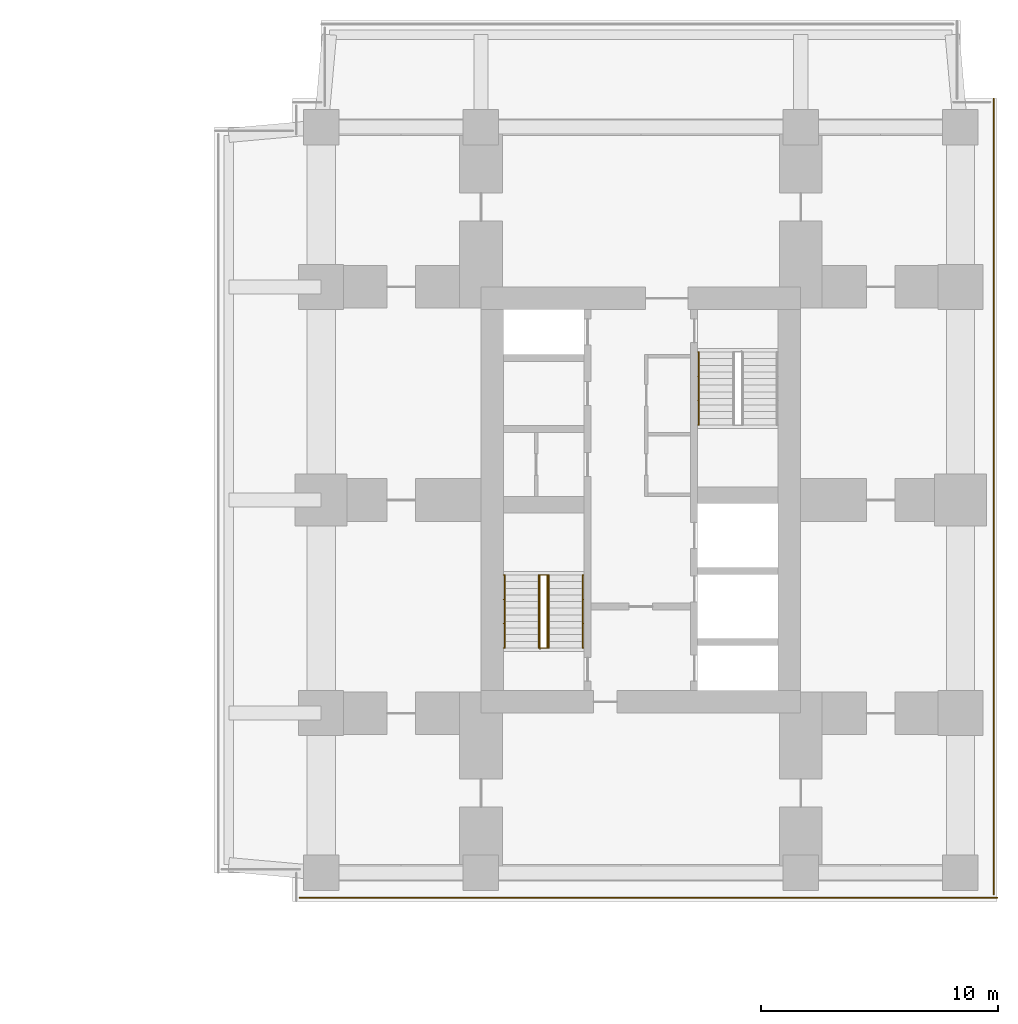
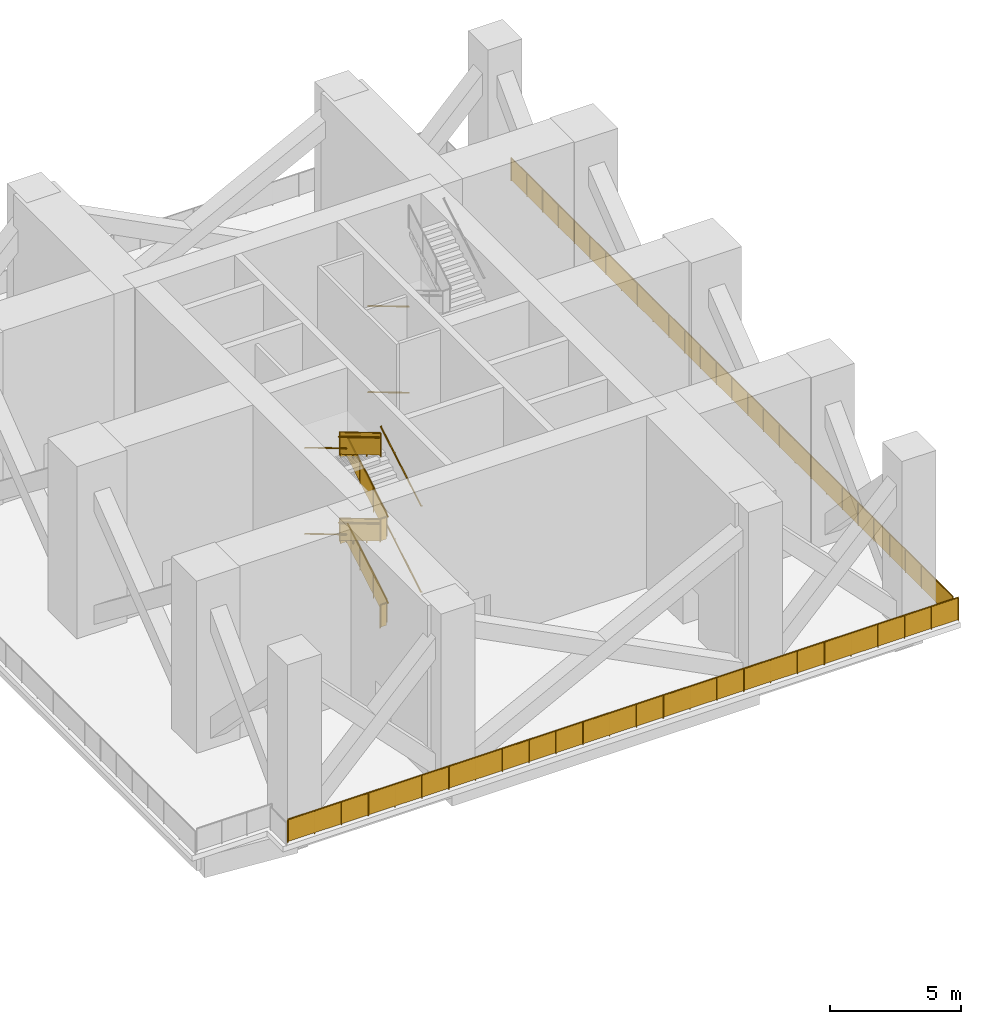
# One storey, part 10 of 11: 13 railings.
"""IFC4 building model written with IfcOpenShell, lengths in metres."""

from ifc_helpers import new_model, si_unit, direction, frame, origin, origin_2d, place, context, subcontext, project, spatial, polyline, circle, outline, extrude, material, type_object, element, save


model = new_model("IFC4")

# Units and contexts
model_context = context("Model", 3, precision=1e-05, world=origin(), true_north=direction((0.0, 1.0)))
body_context = subcontext(model_context, "Body", "Model", "MODEL_VIEW")
ifc_project = project(units=[si_unit("LENGTHUNIT", "METRE"), si_unit("AREAUNIT", "SQUARE_METRE"), si_unit("VOLUMEUNIT", "CUBIC_METRE"), si_unit("PLANEANGLEUNIT", "RADIAN"), si_unit("MASSUNIT", "GRAM", prefix="KILO")], contexts=[model_context])

# Site, building, storey
site_placement = place(None, origin())
site = spatial("IfcSite", under=ifc_project, at=site_placement, CompositionType="ELEMENT")
building_placement = place(site_placement, origin())
building = spatial("IfcBuilding", under=site, at=building_placement, Name="Namib Vertical Campus", CompositionType="ELEMENT")
storey_placement = place(building_placement, frame((0.0, 0.0, 169.0)))
storey = spatial("IfcBuildingStorey", under=building, at=storey_placement, Name="L40", CompositionType="ELEMENT", Elevation=169.0)

# Railings
ifc_material_1 = material(Name="Toughened glass balustrade", Category="glass")
railing_type_1 = type_object("IfcRailingType", Name="Edge guard 1100", PredefinedType="GUARDRAIL", material=ifc_material_1)
railing_1_placement = place(storey_placement, frame((66.60009765625, 3.449951171875, 0.0)))
element("IfcRailing", 1, at=railing_1_placement, inside=storey, type_object=railing_type_1, Name="Refuge edge guard GR2 B L40 3", PredefinedType="GUARDRAIL", context=body_context, shape_type="SweptSolid", body=[
    extrude(circle(Radius=0.02392578125, at=origin_2d()), frame((0.0, 0.0, 1.076171875), z_axis=(1.0, 0.0, 0.0), x_axis=(0.0, 1.0, 0.0)), (0.0, 0.0, 1.0), 29.449951171875),
    extrude(outline(polyline([(0.02099609375, 0.050048828125), (29.428955078125, 0.050048828125), (29.428955078125, 1.052001953125), (0.02099609375, 1.052001953125), (0.02099609375, 0.050048828125)])), frame((0.0, 0.0107421875, 0.0), z_axis=(0.0, -1.0, 0.0), x_axis=(1.0, 0.0, 0.0)), (0.0, 0.0, 1.0), 0.021484375),
    extrude(circle(Radius=0.02099609375, at=origin_2d()), origin(), (0.0, 0.0, 1.0), 1.052001953125),
    extrude(circle(Radius=0.02099609375, at=origin_2d()), frame((1.177978515625, 0.0, 0.0)), (0.0, 0.0, 1.0), 1.052001953125),
    extrude(circle(Radius=0.02099609375, at=origin_2d()), frame((2.35595703125, 0.0, 0.0)), (0.0, 0.0, 1.0), 1.052001953125),
    extrude(circle(Radius=0.02099609375, at=origin_2d()), frame((3.533935546875, 0.0, 0.0)), (0.0, 0.0, 1.0), 1.052001953125),
    extrude(circle(Radius=0.02099609375, at=origin_2d()), frame((4.7119140625, 0.0, 0.0)), (0.0, 0.0, 1.0), 1.052001953125),
    extrude(circle(Radius=0.02099609375, at=origin_2d()), frame((5.889892578125, 0.0, 0.0)), (0.0, 0.0, 1.0), 1.052001953125),
    extrude(circle(Radius=0.02099609375, at=origin_2d()), frame((7.06787109375, 0.0, 0.0)), (0.0, 0.0, 1.0), 1.052001953125),
    extrude(circle(Radius=0.02099609375, at=origin_2d()), frame((8.24609375, 0.0, 0.0)), (0.0, 0.0, 1.0), 1.052001953125),
    extrude(circle(Radius=0.02099609375, at=origin_2d()), frame((9.424072265625, 0.0, 0.0)), (0.0, 0.0, 1.0), 1.052001953125),
    extrude(circle(Radius=0.02099609375, at=origin_2d()), frame((10.60205078125, 0.0, 0.0)), (0.0, 0.0, 1.0), 1.052001953125),
    extrude(circle(Radius=0.02099609375, at=origin_2d()), frame((11.780029296875, 0.0, 0.0)), (0.0, 0.0, 1.0), 1.052001953125),
    extrude(circle(Radius=0.02099609375, at=origin_2d()), frame((12.9580078125, 0.0, 0.0)), (0.0, 0.0, 1.0), 1.052001953125),
    extrude(circle(Radius=0.02099609375, at=origin_2d()), frame((14.135986328125, 0.0, 0.0)), (0.0, 0.0, 1.0), 1.052001953125),
    extrude(circle(Radius=0.02099609375, at=origin_2d()), frame((15.31396484375, 0.0, 0.0)), (0.0, 0.0, 1.0), 1.052001953125),
    extrude(circle(Radius=0.02099609375, at=origin_2d()), frame((16.491943359375, 0.0, 0.0)), (0.0, 0.0, 1.0), 1.052001953125),
    extrude(circle(Radius=0.02099609375, at=origin_2d()), frame((17.669921875, 0.0, 0.0)), (0.0, 0.0, 1.0), 1.052001953125),
    extrude(circle(Radius=0.02099609375, at=origin_2d()), frame((18.847900390625, 0.0, 0.0)), (0.0, 0.0, 1.0), 1.052001953125),
    extrude(circle(Radius=0.02099609375, at=origin_2d()), frame((20.02587890625, 0.0, 0.0)), (0.0, 0.0, 1.0), 1.052001953125),
    extrude(circle(Radius=0.02099609375, at=origin_2d()), frame((21.203857421875, 0.0, 0.0)), (0.0, 0.0, 1.0), 1.052001953125),
    extrude(circle(Radius=0.02099609375, at=origin_2d()), frame((22.382080078125, 0.0, 0.0)), (0.0, 0.0, 1.0), 1.052001953125),
    extrude(circle(Radius=0.02099609375, at=origin_2d()), frame((23.56005859375, 0.0, 0.0)), (0.0, 0.0, 1.0), 1.052001953125),
    extrude(circle(Radius=0.02099609375, at=origin_2d()), frame((24.738037109375, 0.0, 0.0)), (0.0, 0.0, 1.0), 1.052001953125),
    extrude(circle(Radius=0.02099609375, at=origin_2d()), frame((25.916015625, 0.0, 0.0)), (0.0, 0.0, 1.0), 1.052001953125),
    extrude(circle(Radius=0.02099609375, at=origin_2d()), frame((27.093994140625, 0.0, 0.0)), (0.0, 0.0, 1.0), 1.052001953125),
    extrude(circle(Radius=0.02099609375, at=origin_2d()), frame((28.27197265625, 0.0, 0.0)), (0.0, 0.0, 1.0), 1.052001953125),
    extrude(circle(Radius=0.02099609375, at=origin_2d()), frame((29.449951171875, 0.0, 0.0)), (0.0, 0.0, 1.0), 1.052001953125),
])
railing_2_placement = place(storey_placement, frame((95.89990234375, 3.60009765625, 0.0)))
element("IfcRailing", 2, at=railing_2_placement, inside=storey, type_object=railing_type_1, Name="Refuge edge guard GR2 B L40 4", PredefinedType="GUARDRAIL", context=body_context, shape_type="SweptSolid", body=[
    extrude(circle(Radius=0.02392578125, at=origin_2d()), frame((0.0, 0.0, 1.076171875), z_axis=(0.0, 1.0, 0.0), x_axis=(-1.0, 0.0, 0.0)), (0.0, 0.0, 1.0), 33.599853515625),
    extrude(outline(polyline([(0.02099609375, 0.050048828125), (33.578857421875, 0.050048828125), (33.578857421875, 1.052001953125), (0.02099609375, 1.052001953125), (0.02099609375, 0.050048828125)])), frame((-0.0107421875, 0.0, 0.0), z_axis=(1.0, 0.0, 0.0), x_axis=(0.0, 1.0, 0.0)), (0.0, 0.0, 1.0), 0.021484375),
    extrude(circle(Radius=0.02099609375, at=origin_2d()), origin(), (0.0, 0.0, 1.0), 1.052001953125),
    extrude(circle(Radius=0.02099609375, at=origin_2d()), frame((0.0, 1.199951171875, 0.0)), (0.0, 0.0, 1.0), 1.052001953125),
    extrude(circle(Radius=0.02099609375, at=origin_2d()), frame((0.0, 2.39990234375, 0.0)), (0.0, 0.0, 1.0), 1.052001953125),
    extrude(circle(Radius=0.02099609375, at=origin_2d()), frame((0.0, 3.60009765625, 0.0)), (0.0, 0.0, 1.0), 1.052001953125),
    extrude(circle(Radius=0.02099609375, at=origin_2d()), frame((0.0, 4.800048828125, 0.0)), (0.0, 0.0, 1.0), 1.052001953125),
    extrude(circle(Radius=0.02099609375, at=origin_2d()), frame((0.0, 6.0, 0.0)), (0.0, 0.0, 1.0), 1.052001953125),
    extrude(circle(Radius=0.02099609375, at=origin_2d()), frame((0.0, 7.199951171875, 0.0)), (0.0, 0.0, 1.0), 1.052001953125),
    extrude(circle(Radius=0.02099609375, at=origin_2d()), frame((0.0, 8.39990234375, 0.0)), (0.0, 0.0, 1.0), 1.052001953125),
    extrude(circle(Radius=0.02099609375, at=origin_2d()), frame((0.0, 9.599853515625, 0.0)), (0.0, 0.0, 1.0), 1.052001953125),
    extrude(circle(Radius=0.02099609375, at=origin_2d()), frame((0.0, 10.800048828125, 0.0)), (0.0, 0.0, 1.0), 1.052001953125),
    extrude(circle(Radius=0.02099609375, at=origin_2d()), frame((0.0, 12.0, 0.0)), (0.0, 0.0, 1.0), 1.052001953125),
    extrude(circle(Radius=0.02099609375, at=origin_2d()), frame((0.0, 13.199951171875, 0.0)), (0.0, 0.0, 1.0), 1.052001953125),
    extrude(circle(Radius=0.02099609375, at=origin_2d()), frame((0.0, 14.39990234375, 0.0)), (0.0, 0.0, 1.0), 1.052001953125),
    extrude(circle(Radius=0.02099609375, at=origin_2d()), frame((0.0, 15.599853515625, 0.0)), (0.0, 0.0, 1.0), 1.052001953125),
    extrude(circle(Radius=0.02099609375, at=origin_2d()), frame((0.0, 16.7998046875, 0.0)), (0.0, 0.0, 1.0), 1.052001953125),
    extrude(circle(Radius=0.02099609375, at=origin_2d()), frame((0.0, 18.0, 0.0)), (0.0, 0.0, 1.0), 1.052001953125),
    extrude(circle(Radius=0.02099609375, at=origin_2d()), frame((0.0, 19.199951171875, 0.0)), (0.0, 0.0, 1.0), 1.052001953125),
    extrude(circle(Radius=0.02099609375, at=origin_2d()), frame((0.0, 20.39990234375, 0.0)), (0.0, 0.0, 1.0), 1.052001953125),
    extrude(circle(Radius=0.02099609375, at=origin_2d()), frame((0.0, 21.599853515625, 0.0)), (0.0, 0.0, 1.0), 1.052001953125),
    extrude(circle(Radius=0.02099609375, at=origin_2d()), frame((0.0, 22.7998046875, 0.0)), (0.0, 0.0, 1.0), 1.052001953125),
    extrude(circle(Radius=0.02099609375, at=origin_2d()), frame((0.0, 24.0, 0.0)), (0.0, 0.0, 1.0), 1.052001953125),
    extrude(circle(Radius=0.02099609375, at=origin_2d()), frame((0.0, 25.199951171875, 0.0)), (0.0, 0.0, 1.0), 1.052001953125),
    extrude(circle(Radius=0.02099609375, at=origin_2d()), frame((0.0, 26.39990234375, 0.0)), (0.0, 0.0, 1.0), 1.052001953125),
    extrude(circle(Radius=0.02099609375, at=origin_2d()), frame((0.0, 27.599853515625, 0.0)), (0.0, 0.0, 1.0), 1.052001953125),
    extrude(circle(Radius=0.02099609375, at=origin_2d()), frame((0.0, 28.7998046875, 0.0)), (0.0, 0.0, 1.0), 1.052001953125),
    extrude(circle(Radius=0.02099609375, at=origin_2d()), frame((0.0, 29.999755859375, 0.0)), (0.0, 0.0, 1.0), 1.052001953125),
    extrude(circle(Radius=0.02099609375, at=origin_2d()), frame((0.0, 31.199951171875, 0.0)), (0.0, 0.0, 1.0), 1.052001953125),
    extrude(circle(Radius=0.02099609375, at=origin_2d()), frame((0.0, 32.39990234375, 0.0)), (0.0, 0.0, 1.0), 1.052001953125),
    extrude(circle(Radius=0.02099609375, at=origin_2d()), frame((0.0, 33.599853515625, 0.0)), (0.0, 0.0, 1.0), 1.052001953125),
])
ifc_material_2 = material(Name="Steel handrail", Category="steel")
railing_type_2 = type_object("IfcRailingType", Name="Handrail 900", PredefinedType="HANDRAIL", material=ifc_material_2)
railing_3_placement = place(storey_placement, frame((78.550048828125, 14.0, 0.166748046875)))
element("IfcRailing", 3, at=railing_3_placement, inside=storey, type_object=railing_type_2, Name="Handrail HR1 B-S1 L40 1", PredefinedType="HANDRAIL", context=body_context, shape_type="SweptSolid", body=[
    extrude(circle(Radius=0.02392578125, at=origin_2d()), frame((0.0, 0.0, 0.8759765625), z_axis=(0.0, 0.859308565015, 0.511457515432), x_axis=(-1.0, 0.0, 0.0)), (0.0, 0.0, 1.0), 3.58447265625),
    extrude(circle(Radius=0.008056640625, at=origin_2d()), frame((0.0, 0.0, 0.8759765625), z_axis=(1.0, 0.0, 0.0), x_axis=(0.0, 0.0, 1.0)), (0.0, 0.0, 1.0), 0.050048828125),
    extrude(circle(Radius=0.008056640625, at=origin_2d()), frame((0.0, 1.026611328125, 1.48681640625), z_axis=(1.0, 0.0, 0.0), x_axis=(0.0, 0.0, 1.0)), (0.0, 0.0, 1.0), 0.050048828125),
    extrude(circle(Radius=0.008056640625, at=origin_2d()), frame((0.0, 2.053466796875, 2.09814453125), z_axis=(1.0, 0.0, 0.0), x_axis=(0.0, 0.0, 1.0)), (0.0, 0.0, 1.0), 0.050048828125),
    extrude(circle(Radius=0.008056640625, at=origin_2d()), frame((0.0, 3.080078125, 2.708984375), z_axis=(1.0, 0.0, 0.0), x_axis=(0.0, 0.0, 1.0)), (0.0, 0.0, 1.0), 0.050048828125),
])
railing_4_placement = place(storey_placement, frame((75.25, 17.080078125, 2.166748046875)))
element("IfcRailing", 4, at=railing_4_placement, inside=storey, type_object=railing_type_2, Name="Handrail HR1 B-S1 L40 2", PredefinedType="HANDRAIL", context=body_context, shape_type="SweptSolid", body=[
    extrude(circle(Radius=0.02392578125, at=origin_2d()), frame((0.0, 0.0, 0.8759765625), z_axis=(0.0, -0.859308565015, 0.511457515432), x_axis=(1.0, 0.0, 0.0)), (0.0, 0.0, 1.0), 3.58447265625),
    extrude(circle(Radius=0.008056640625, at=origin_2d()), frame((0.0, 0.0, 0.8759765625), z_axis=(-1.0, 0.0, 0.0), x_axis=(0.0, 0.0, 1.0)), (0.0, 0.0, 1.0), 0.050048828125),
    extrude(circle(Radius=0.008056640625, at=origin_2d()), frame((0.0, -1.026611328125, 1.48681640625), z_axis=(-1.0, 0.0, 0.0), x_axis=(0.0, 0.0, 1.0)), (0.0, 0.0, 1.0), 0.050048828125),
    extrude(circle(Radius=0.008056640625, at=origin_2d()), frame((0.0, -2.053466796875, 2.09814453125), z_axis=(-1.0, 0.0, 0.0), x_axis=(0.0, 0.0, 1.0)), (0.0, 0.0, 1.0), 0.050048828125),
    extrude(circle(Radius=0.008056640625, at=origin_2d()), frame((0.0, -3.080078125, 2.708984375), z_axis=(-1.0, 0.0, 0.0), x_axis=(0.0, 0.0, 1.0)), (0.0, 0.0, 1.0), 0.050048828125),
])
railing_5_placement = place(storey_placement, frame((78.550048828125, 14.0, 4.166748046875)))
element("IfcRailing", 5, at=railing_5_placement, inside=storey, type_object=railing_type_2, Name="Handrail HR1 B-S1 L40 3", PredefinedType="HANDRAIL", context=body_context, shape_type="SweptSolid", body=[
    extrude(circle(Radius=0.02392578125, at=origin_2d()), frame((0.0, 0.0, 0.8759765625), z_axis=(0.0, 0.859308565015, 0.511457515432), x_axis=(-1.0, 0.0, 0.0)), (0.0, 0.0, 1.0), 3.58447265625),
    extrude(circle(Radius=0.008056640625, at=origin_2d()), frame((0.0, 0.0, 0.8759765625), z_axis=(1.0, 0.0, 0.0), x_axis=(0.0, 0.0, 1.0)), (0.0, 0.0, 1.0), 0.050048828125),
    extrude(circle(Radius=0.008056640625, at=origin_2d()), frame((0.0, 1.026611328125, 1.48681640625), z_axis=(1.0, 0.0, 0.0), x_axis=(0.0, 0.0, 1.0)), (0.0, 0.0, 1.0), 0.050048828125),
    extrude(circle(Radius=0.008056640625, at=origin_2d()), frame((0.0, 2.053466796875, 2.09814453125), z_axis=(1.0, 0.0, 0.0), x_axis=(0.0, 0.0, 1.0)), (0.0, 0.0, 1.0), 0.050048828125),
    extrude(circle(Radius=0.008056640625, at=origin_2d()), frame((0.0, 3.080078125, 2.708984375), z_axis=(1.0, 0.0, 0.0), x_axis=(0.0, 0.0, 1.0)), (0.0, 0.0, 1.0), 0.050048828125),
])
railing_6_placement = place(storey_placement, frame((75.25, 17.080078125, 6.166748046875)))
element("IfcRailing", 6, at=railing_6_placement, inside=storey, type_object=railing_type_2, Name="Handrail HR1 B-S1 L40 4", PredefinedType="HANDRAIL", context=body_context, shape_type="SweptSolid", body=[
    extrude(circle(Radius=0.02392578125, at=origin_2d()), frame((0.0, 0.0, 0.8759765625), z_axis=(0.0, -0.859308565015, 0.511457515432), x_axis=(1.0, 0.0, 0.0)), (0.0, 0.0, 1.0), 3.58447265625),
    extrude(circle(Radius=0.008056640625, at=origin_2d()), frame((0.0, 0.0, 0.8759765625), z_axis=(-1.0, 0.0, 0.0), x_axis=(0.0, 0.0, 1.0)), (0.0, 0.0, 1.0), 0.050048828125),
    extrude(circle(Radius=0.008056640625, at=origin_2d()), frame((0.0, -1.026611328125, 1.48681640625), z_axis=(-1.0, 0.0, 0.0), x_axis=(0.0, 0.0, 1.0)), (0.0, 0.0, 1.0), 0.050048828125),
    extrude(circle(Radius=0.008056640625, at=origin_2d()), frame((0.0, -2.053466796875, 2.09814453125), z_axis=(-1.0, 0.0, 0.0), x_axis=(0.0, 0.0, 1.0)), (0.0, 0.0, 1.0), 0.050048828125),
    extrude(circle(Radius=0.008056640625, at=origin_2d()), frame((0.0, -3.080078125, 2.708984375), z_axis=(-1.0, 0.0, 0.0), x_axis=(0.0, 0.0, 1.0)), (0.0, 0.0, 1.0), 0.050048828125),
])
railing_7_placement = place(storey_placement, frame((77.10009765625, 14.0, 0.166748046875)))
element("IfcRailing", 7, at=railing_7_placement, inside=storey, type_object=railing_type_2, Name="Handrail HR1 B-S1 L40 1 at the well", PredefinedType="HANDRAIL", context=body_context, shape_type="SweptSolid", body=[
    extrude(circle(Radius=0.02392578125, at=origin_2d()), frame((0.0, 0.0, 0.8759765625), z_axis=(0.0, 0.859308565015, 0.511457515432), x_axis=(-1.0, 0.0, 0.0)), (0.0, 0.0, 1.0), 3.58447265625),
    extrude(circle(Radius=0.008056640625, at=origin_2d()), frame((0.0, 0.0, 0.8759765625), z_axis=(-1.0, 0.0, 0.0), x_axis=(0.0, 0.0, 1.0)), (0.0, 0.0, 1.0), 0.0400390625),
    extrude(circle(Radius=0.008056640625, at=origin_2d()), frame((0.0, 1.026611328125, 1.48681640625), z_axis=(-1.0, 0.0, 0.0), x_axis=(0.0, 0.0, 1.0)), (0.0, 0.0, 1.0), 0.0400390625),
    extrude(circle(Radius=0.008056640625, at=origin_2d()), frame((0.0, 2.053466796875, 2.09814453125), z_axis=(-1.0, 0.0, 0.0), x_axis=(0.0, 0.0, 1.0)), (0.0, 0.0, 1.0), 0.0400390625),
    extrude(circle(Radius=0.008056640625, at=origin_2d()), frame((0.0, 3.080078125, 2.708984375), z_axis=(-1.0, 0.0, 0.0), x_axis=(0.0, 0.0, 1.0)), (0.0, 0.0, 1.0), 0.0400390625),
])
railing_8_placement = place(storey_placement, frame((76.699951171875, 17.080078125, 2.166748046875)))
element("IfcRailing", 8, at=railing_8_placement, inside=storey, type_object=railing_type_2, Name="Handrail HR1 B-S1 L40 2 at the well", PredefinedType="HANDRAIL", context=body_context, shape_type="SweptSolid", body=[
    extrude(circle(Radius=0.02392578125, at=origin_2d()), frame((0.0, 0.0, 0.8759765625), z_axis=(0.0, -0.859308565015, 0.511457515432), x_axis=(1.0, 0.0, 0.0)), (0.0, 0.0, 1.0), 3.58447265625),
    extrude(circle(Radius=0.008056640625, at=origin_2d()), frame((0.0, 0.0, 0.8759765625), z_axis=(1.0, 0.0, 0.0), x_axis=(0.0, 0.0, 1.0)), (0.0, 0.0, 1.0), 0.0400390625),
    extrude(circle(Radius=0.008056640625, at=origin_2d()), frame((0.0, -1.026611328125, 1.48681640625), z_axis=(1.0, 0.0, 0.0), x_axis=(0.0, 0.0, 1.0)), (0.0, 0.0, 1.0), 0.0400390625),
    extrude(circle(Radius=0.008056640625, at=origin_2d()), frame((0.0, -2.053466796875, 2.09814453125), z_axis=(1.0, 0.0, 0.0), x_axis=(0.0, 0.0, 1.0)), (0.0, 0.0, 1.0), 0.0400390625),
    extrude(circle(Radius=0.008056640625, at=origin_2d()), frame((0.0, -3.080078125, 2.708984375), z_axis=(1.0, 0.0, 0.0), x_axis=(0.0, 0.0, 1.0)), (0.0, 0.0, 1.0), 0.0400390625),
])
railing_9_placement = place(storey_placement, frame((77.10009765625, 14.0, 4.166748046875)))
element("IfcRailing", 9, at=railing_9_placement, inside=storey, type_object=railing_type_2, Name="Handrail HR1 B-S1 L40 3 at the well", PredefinedType="HANDRAIL", context=body_context, shape_type="SweptSolid", body=[
    extrude(circle(Radius=0.02392578125, at=origin_2d()), frame((0.0, 0.0, 0.8759765625), z_axis=(0.0, 0.859308565015, 0.511457515432), x_axis=(-1.0, 0.0, 0.0)), (0.0, 0.0, 1.0), 3.58447265625),
    extrude(circle(Radius=0.008056640625, at=origin_2d()), frame((0.0, 0.0, 0.8759765625), z_axis=(-1.0, 0.0, 0.0), x_axis=(0.0, 0.0, 1.0)), (0.0, 0.0, 1.0), 0.0400390625),
    extrude(circle(Radius=0.008056640625, at=origin_2d()), frame((0.0, 1.026611328125, 1.48681640625), z_axis=(-1.0, 0.0, 0.0), x_axis=(0.0, 0.0, 1.0)), (0.0, 0.0, 1.0), 0.0400390625),
    extrude(circle(Radius=0.008056640625, at=origin_2d()), frame((0.0, 2.053466796875, 2.09814453125), z_axis=(-1.0, 0.0, 0.0), x_axis=(0.0, 0.0, 1.0)), (0.0, 0.0, 1.0), 0.0400390625),
    extrude(circle(Radius=0.008056640625, at=origin_2d()), frame((0.0, 3.080078125, 2.708984375), z_axis=(-1.0, 0.0, 0.0), x_axis=(0.0, 0.0, 1.0)), (0.0, 0.0, 1.0), 0.0400390625),
])
railing_10_placement = place(storey_placement, frame((76.699951171875, 17.080078125, 6.166748046875)))
element("IfcRailing", 10, at=railing_10_placement, inside=storey, type_object=railing_type_2, Name="Handrail HR1 B-S1 L40 4 at the well", PredefinedType="HANDRAIL", context=body_context, shape_type="SweptSolid", body=[
    extrude(circle(Radius=0.02392578125, at=origin_2d()), frame((0.0, 0.0, 0.8759765625), z_axis=(0.0, -0.859308565015, 0.511457515432), x_axis=(1.0, 0.0, 0.0)), (0.0, 0.0, 1.0), 3.58447265625),
    extrude(circle(Radius=0.008056640625, at=origin_2d()), frame((0.0, 0.0, 0.8759765625), z_axis=(1.0, 0.0, 0.0), x_axis=(0.0, 0.0, 1.0)), (0.0, 0.0, 1.0), 0.0400390625),
    extrude(circle(Radius=0.008056640625, at=origin_2d()), frame((0.0, -1.026611328125, 1.48681640625), z_axis=(1.0, 0.0, 0.0), x_axis=(0.0, 0.0, 1.0)), (0.0, 0.0, 1.0), 0.0400390625),
    extrude(circle(Radius=0.008056640625, at=origin_2d()), frame((0.0, -2.053466796875, 2.09814453125), z_axis=(1.0, 0.0, 0.0), x_axis=(0.0, 0.0, 1.0)), (0.0, 0.0, 1.0), 0.0400390625),
    extrude(circle(Radius=0.008056640625, at=origin_2d()), frame((0.0, -3.080078125, 2.708984375), z_axis=(1.0, 0.0, 0.0), x_axis=(0.0, 0.0, 1.0)), (0.0, 0.0, 1.0), 0.0400390625),
])
for number, where, name in (
    (11, (83.449951171875, 26.5, 0.166748046875), "Handrail HR1 B-S2 L40 1"),
    (12, (83.449951171875, 26.5, 4.166748046875), "Handrail HR1 B-S2 L40 3"),
):
    element("IfcRailing", number, at=place(storey_placement, frame(where)), inside=storey, type_object=railing_type_2, Name=name, PredefinedType="HANDRAIL", context=body_context, shape_type="SweptSolid", body=[
        extrude(circle(Radius=0.02392578125, at=origin_2d()), frame((0.0, 0.0, 0.8759765625), z_axis=(0.0, -0.859308565015, 0.511457515432), x_axis=(1.0, 0.0, 0.0)), (0.0, 0.0, 1.0), 3.58447265625),
        extrude(circle(Radius=0.008056640625, at=origin_2d()), frame((0.0, 0.0, 0.8759765625), z_axis=(-1.0, 0.0, 0.0), x_axis=(0.0, 0.0, 1.0)), (0.0, 0.0, 1.0), 0.050048828125),
        extrude(circle(Radius=0.008056640625, at=origin_2d()), frame((0.0, -1.026611328125, 1.48681640625), z_axis=(-1.0, 0.0, 0.0), x_axis=(0.0, 0.0, 1.0)), (0.0, 0.0, 1.0), 0.050048828125),
        extrude(circle(Radius=0.008056640625, at=origin_2d()), frame((0.0, -2.053466796875, 2.09814453125), z_axis=(-1.0, 0.0, 0.0), x_axis=(0.0, 0.0, 1.0)), (0.0, 0.0, 1.0), 0.050048828125),
        extrude(circle(Radius=0.008056640625, at=origin_2d()), frame((0.0, -3.080078125, 2.708984375), z_axis=(-1.0, 0.0, 0.0), x_axis=(0.0, 0.0, 1.0)), (0.0, 0.0, 1.0), 0.050048828125),
    ])
ifc_material_3 = material(Name="Steel balustrade", Category="steel")
railing_type_3 = type_object("IfcRailingType", Name="Stair guard 1100", PredefinedType="GUARDRAIL", material=ifc_material_3)
railing_11_placement = place(storey_placement, frame((76.75, 14.0, 0.0)))
element("IfcRailing", 13, at=railing_11_placement, inside=storey, type_object=railing_type_3, Name="Stair guard GR1 B-S1 L40", PredefinedType="GUARDRAIL", context=body_context, shape_type="SweptSolid", body=[
    extrude(circle(Radius=0.02392578125, at=origin_2d()), frame((0.0, 0.0, 1.076171875), z_axis=(1.0, 0.0, 0.0), x_axis=(0.0, 1.0, 0.0)), (0.0, 0.0, 1.0), 0.300048828125),
    extrude(outline(polyline([(0.02099609375, 0.050048828125), (0.279052734375, 0.050048828125), (0.279052734375, 1.052001953125), (0.02099609375, 1.052001953125), (0.02099609375, 0.050048828125)])), frame((0.0, 0.010009765625, 0.0), z_axis=(0.0, -1.0, 0.0), x_axis=(1.0, 0.0, 0.0)), (0.0, 0.0, 1.0), 0.02001953125),
    extrude(circle(Radius=0.02392578125, at=origin_2d()), frame((0.300048828125, 0.0, 1.076171875), z_axis=(0.0, 0.0, 1.0), x_axis=(1.0, 0.0, 0.0)), (0.0, 0.0, 1.0), 0.166748046875),
    extrude(circle(Radius=0.02392578125, at=origin_2d()), frame((0.300048828125, 0.0, 1.24267578125), z_axis=(0.0, 0.859308565015, 0.511457515432), x_axis=(-1.0, 0.0, 0.0)), (0.0, 0.0, 1.0), 3.58447265625),
    extrude(outline(polyline([(0.02099609375, 0.0625), (3.05908203125, 1.870849609375), (3.05908203125, 2.872802734375), (0.02099609375, 1.064453125), (0.02099609375, 0.0625)])), frame((0.2900390625, 0.0, 0.166748046875), z_axis=(1.0, 0.0, 0.0), x_axis=(0.0, 1.0, 0.0)), (0.0, 0.0, 1.0), 0.02001953125),
    extrude(circle(Radius=0.02392578125, at=origin_2d()), frame((0.300048828125, 3.080078125, 3.076171875), z_axis=(-1.0, 0.0, 0.0), x_axis=(0.0, -1.0, 0.0)), (0.0, 0.0, 1.0), 0.300048828125),
    extrude(outline(polyline([(0.02099609375, 0.050048828125), (0.279052734375, 0.050048828125), (0.279052734375, 1.052001953125), (0.02099609375, 1.052001953125), (0.02099609375, 0.050048828125)])), frame((0.300048828125, 3.070068359375, 2.0), z_axis=(0.0, 1.0, 0.0), x_axis=(-1.0, 0.0, 0.0)), (0.0, 0.0, 1.0), 0.02001953125),
    extrude(circle(Radius=0.02392578125, at=origin_2d()), frame((0.0, 3.080078125, 3.076171875), z_axis=(0.0, 0.0, 1.0), x_axis=(1.0, 0.0, 0.0)), (0.0, 0.0, 1.0), 0.166748046875),
    extrude(circle(Radius=0.02392578125, at=origin_2d()), frame((0.0, 3.080078125, 3.24267578125), z_axis=(0.0, -0.859308565015, 0.511457515432), x_axis=(1.0, 0.0, 0.0)), (0.0, 0.0, 1.0), 3.58447265625),
    extrude(outline(polyline([(0.02099609375, 0.0625), (3.05908203125, 1.870849609375), (3.05908203125, 2.872802734375), (0.02099609375, 1.064453125), (0.02099609375, 0.0625)])), frame((0.010009765625, 3.080078125, 2.166748046875), z_axis=(-1.0, 0.0, 0.0), x_axis=(0.0, -1.0, 0.0)), (0.0, 0.0, 1.0), 0.02001953125),
    extrude(circle(Radius=0.02392578125, at=origin_2d()), frame((0.0, 0.0, 5.076171875), z_axis=(1.0, 0.0, 0.0), x_axis=(0.0, 1.0, 0.0)), (0.0, 0.0, 1.0), 0.300048828125),
    extrude(outline(polyline([(0.02099609375, 0.050048828125), (0.279052734375, 0.050048828125), (0.279052734375, 1.052001953125), (0.02099609375, 1.052001953125), (0.02099609375, 0.050048828125)])), frame((0.0, 0.010009765625, 4.0), z_axis=(0.0, -1.0, 0.0), x_axis=(1.0, 0.0, 0.0)), (0.0, 0.0, 1.0), 0.02001953125),
    extrude(circle(Radius=0.02392578125, at=origin_2d()), frame((0.300048828125, 0.0, 5.076171875), z_axis=(0.0, 0.0, 1.0), x_axis=(1.0, 0.0, 0.0)), (0.0, 0.0, 1.0), 0.166748046875),
    extrude(circle(Radius=0.02392578125, at=origin_2d()), frame((0.300048828125, 0.0, 5.24267578125), z_axis=(0.0, 0.859308565015, 0.511457515432), x_axis=(-1.0, 0.0, 0.0)), (0.0, 0.0, 1.0), 3.58447265625),
    extrude(outline(polyline([(0.02099609375, 0.0625), (3.05908203125, 1.870849609375), (3.05908203125, 2.872802734375), (0.02099609375, 1.064453125), (0.02099609375, 0.0625)])), frame((0.2900390625, 0.0, 4.166748046875), z_axis=(1.0, 0.0, 0.0), x_axis=(0.0, 1.0, 0.0)), (0.0, 0.0, 1.0), 0.02001953125),
    extrude(circle(Radius=0.02392578125, at=origin_2d()), frame((0.300048828125, 3.080078125, 7.076171875), z_axis=(-1.0, 0.0, 0.0), x_axis=(0.0, -1.0, 0.0)), (0.0, 0.0, 1.0), 0.300048828125),
    extrude(outline(polyline([(0.02099609375, 0.050048828125), (0.279052734375, 0.050048828125), (0.279052734375, 1.052001953125), (0.02099609375, 1.052001953125), (0.02099609375, 0.050048828125)])), frame((0.300048828125, 3.070068359375, 6.0), z_axis=(0.0, 1.0, 0.0), x_axis=(-1.0, 0.0, 0.0)), (0.0, 0.0, 1.0), 0.02001953125),
    extrude(circle(Radius=0.02392578125, at=origin_2d()), frame((0.0, 3.080078125, 7.076171875), z_axis=(0.0, 0.0, 1.0), x_axis=(1.0, 0.0, 0.0)), (0.0, 0.0, 1.0), 0.166748046875),
    extrude(circle(Radius=0.02392578125, at=origin_2d()), frame((0.0, 3.080078125, 7.24267578125), z_axis=(0.0, -0.859308565015, 0.511457515432), x_axis=(1.0, 0.0, 0.0)), (0.0, 0.0, 1.0), 3.58447265625),
    extrude(outline(polyline([(0.02099609375, 0.0625), (3.05908203125, 1.870849609375), (3.05908203125, 2.872802734375), (0.02099609375, 1.064453125), (0.02099609375, 0.0625)])), frame((0.010009765625, 3.080078125, 6.166748046875), z_axis=(-1.0, 0.0, 0.0), x_axis=(0.0, -1.0, 0.0)), (0.0, 0.0, 1.0), 0.02001953125),
    extrude(circle(Radius=0.02392578125, at=origin_2d()), frame((0.0, 0.0, 9.076171875), z_axis=(0.0, -1.0, 0.0), x_axis=(1.0, 0.0, 0.0)), (0.0, 0.0, 1.0), 0.050048828125),
    extrude(outline(polyline([(0.02099609375, 0.050048828125), (0.029052734375, 0.050048828125), (0.029052734375, 1.052001953125), (0.02099609375, 1.052001953125), (0.02099609375, 0.050048828125)])), frame((0.010009765625, 0.0, 8.0), z_axis=(-1.0, 0.0, 0.0), x_axis=(0.0, -1.0, 0.0)), (0.0, 0.0, 1.0), 0.02001953125),
    extrude(circle(Radius=0.02099609375, at=origin_2d()), origin(), (0.0, 0.0, 1.0), 1.052001953125),
    extrude(circle(Radius=0.02099609375, at=origin_2d()), frame((0.300048828125, 0.0, 0.166748046875)), (0.0, 0.0, 1.0), 1.052001953125),
    extrude(circle(Radius=0.02099609375, at=origin_2d()), frame((0.300048828125, 1.026611328125, 0.666748046875)), (0.0, 0.0, 1.0), 1.1630859375),
    extrude(circle(Radius=0.02099609375, at=origin_2d()), frame((0.300048828125, 2.053466796875, 1.33349609375)), (0.0, 0.0, 1.0), 1.107421875),
    extrude(circle(Radius=0.02099609375, at=origin_2d()), frame((0.300048828125, 3.080078125, 2.0)), (0.0, 0.0, 1.0), 1.052001953125),
    extrude(circle(Radius=0.02099609375, at=origin_2d()), frame((0.0, 3.080078125, 2.166748046875)), (0.0, 0.0, 1.0), 1.052001953125),
    extrude(circle(Radius=0.02099609375, at=origin_2d()), frame((0.0, 2.053466796875, 2.666748046875)), (0.0, 0.0, 1.0), 1.1630859375),
    extrude(circle(Radius=0.02099609375, at=origin_2d()), frame((0.0, 1.026611328125, 3.33349609375)), (0.0, 0.0, 1.0), 1.107421875),
    extrude(circle(Radius=0.02099609375, at=origin_2d()), frame((0.0, 0.0, 4.0)), (0.0, 0.0, 1.0), 1.052001953125),
    extrude(circle(Radius=0.02099609375, at=origin_2d()), frame((0.300048828125, 0.0, 4.166748046875)), (0.0, 0.0, 1.0), 1.052001953125),
    extrude(circle(Radius=0.02099609375, at=origin_2d()), frame((0.300048828125, 1.026611328125, 4.666748046875)), (0.0, 0.0, 1.0), 1.1630859375),
    extrude(circle(Radius=0.02099609375, at=origin_2d()), frame((0.300048828125, 2.053466796875, 5.33349609375)), (0.0, 0.0, 1.0), 1.107421875),
    extrude(circle(Radius=0.02099609375, at=origin_2d()), frame((0.300048828125, 3.080078125, 6.0)), (0.0, 0.0, 1.0), 1.052001953125),
    extrude(circle(Radius=0.02099609375, at=origin_2d()), frame((0.0, 3.080078125, 6.166748046875)), (0.0, 0.0, 1.0), 1.052001953125),
    extrude(circle(Radius=0.02099609375, at=origin_2d()), frame((0.0, 2.053466796875, 6.666748046875)), (0.0, 0.0, 1.0), 1.1630859375),
    extrude(circle(Radius=0.02099609375, at=origin_2d()), frame((0.0, 1.026611328125, 7.33349609375)), (0.0, 0.0, 1.0), 1.107421875),
    extrude(circle(Radius=0.02099609375, at=origin_2d()), frame((0.0, 0.0, 8.0)), (0.0, 0.0, 1.0), 1.052001953125),
    extrude(circle(Radius=0.02099609375, at=origin_2d()), frame((0.0, -0.050048828125, 8.0)), (0.0, 0.0, 1.0), 1.052001953125),
])

save(model, "model.ifc")
